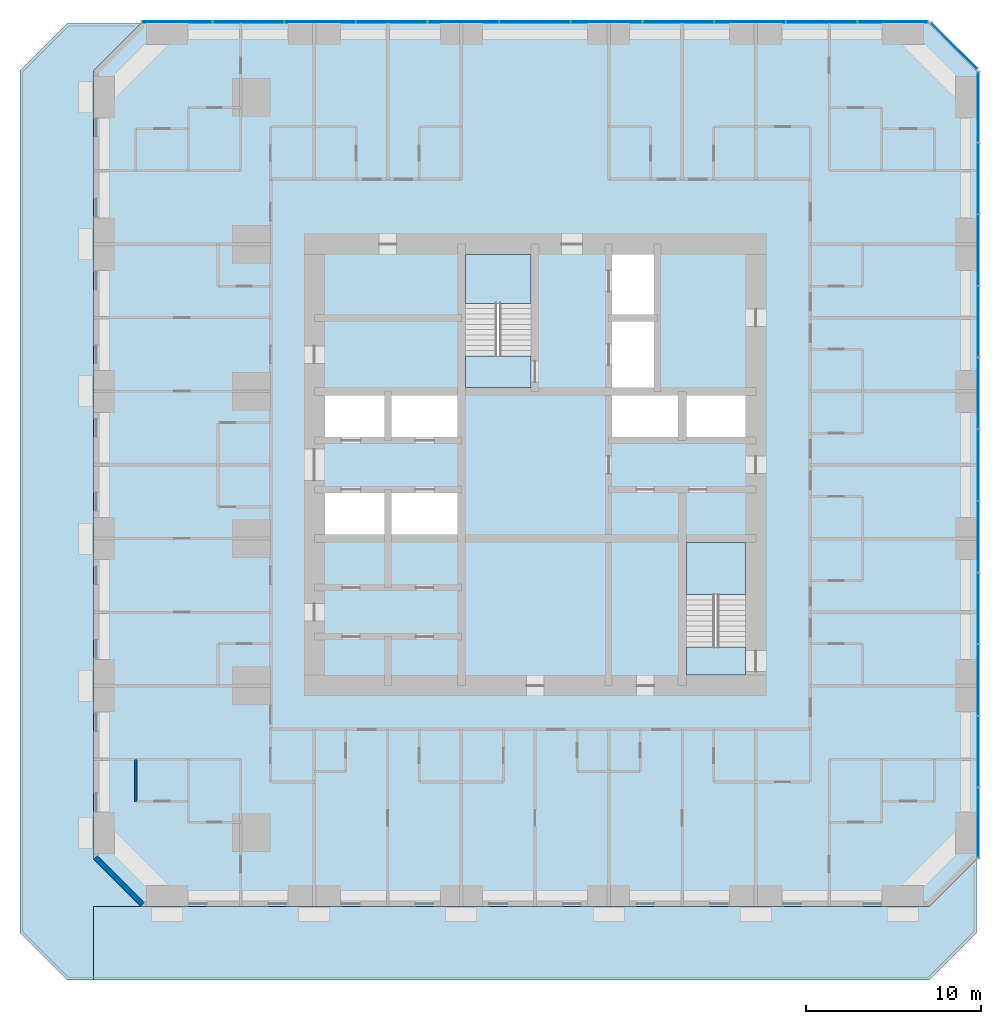
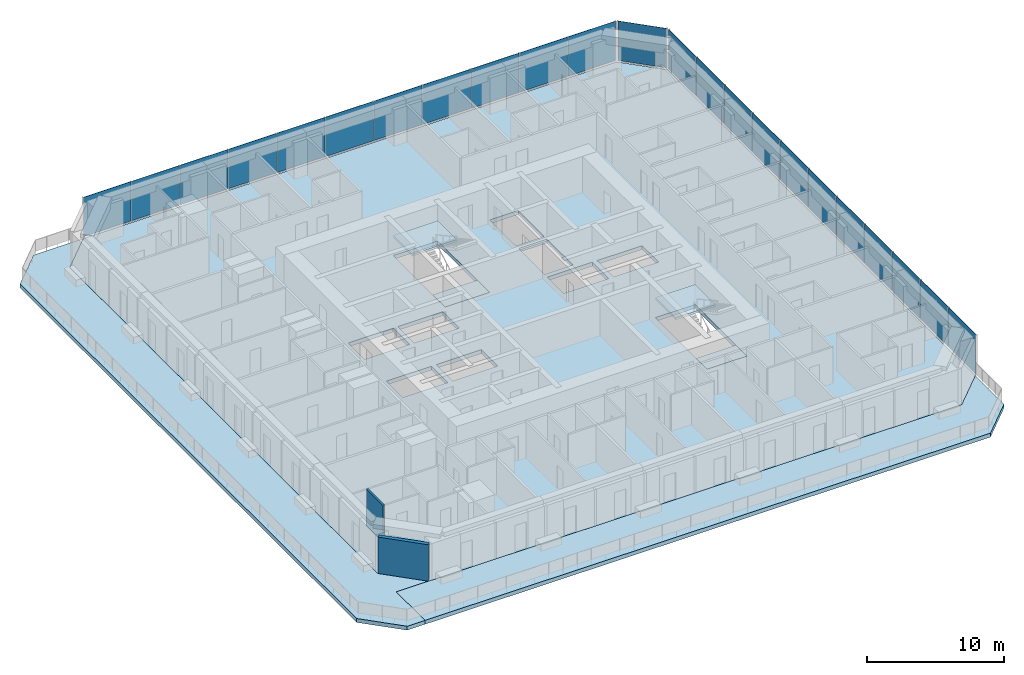
# One storey, part 5 of 14: 23 plates, 7 slabs, 2 walls, 5 elements without a shape of their own.
"""IFC4 building model written with IfcOpenShell, lengths in metres."""

from ifc_helpers import new_model, si_unit, direction, frame, frame_2d, origin, origin_2d, place, context, subcontext, project, spatial, polyline, rectangle, outline, extrude, material, layer, layer_set, type_object, element, aggregate, save


model = new_model("IFC4")

# Units and contexts
model_context = context("Model", 3, precision=1e-05, world=origin(), true_north=direction((0.0, 1.0)))
body_context = subcontext(model_context, "Body", "Model", "MODEL_VIEW")
ifc_project = project(units=[si_unit("LENGTHUNIT", "METRE"), si_unit("AREAUNIT", "SQUARE_METRE"), si_unit("VOLUMEUNIT", "CUBIC_METRE"), si_unit("PLANEANGLEUNIT", "RADIAN"), si_unit("MASSUNIT", "GRAM", prefix="KILO")], contexts=[model_context])

# Site, building, storey
site_placement = place(None, origin())
site = spatial("IfcSite", under=ifc_project, at=site_placement, CompositionType="ELEMENT")
building_placement = place(site_placement, origin())
building = spatial("IfcBuilding", under=site, at=building_placement, Name="Dunama Terrace Hotel", CompositionType="ELEMENT")
storey_placement = place(building_placement, frame((0.0, 0.0, 159.0)))
storey = spatial("IfcBuildingStorey", under=building, at=storey_placement, Name="L40", CompositionType="ELEMENT", Elevation=159.0)

# Curtain wall, plates
ifc_material_1 = material(Name="Aluminium curtain wall system", Category="aluminium")
curtain_wall_type = type_object("IfcCurtainWallType", Name="Unitised fritted glass wall CW-C", PredefinedType="NOTDEFINED", material=ifc_material_1)
curtain_wall_1_placement = place(storey_placement, origin())
curtain_wall_1 = element("IfcCurtainWall", 1, at=curtain_wall_1_placement, inside=storey, type_object=curtain_wall_type, Name="Unitised fritted glass wall CW-C L40", PredefinedType="NOTDEFINED")
ifc_material_2 = material(Name="Laminated glass", Category="glass")
ifc_layer_1 = layer(ifc_material_2, 0.031982421875)
ifc_layer_set_1 = layer_set([ifc_layer_1], Name="CWC clear glass panel")
plate_type_1 = type_object("IfcPlateType", Name="CWC clear glass panel", PredefinedType="CURTAIN_PANEL", material=ifc_layer_set_1)
plate_1_placement = place(storey_placement, frame((54.699951171875, 17.126953125, 0.080078125), z_axis=(0.0, 0.0, 1.0), x_axis=(0.0, 1.0, 0.0)))
plate_1 = element("IfcPlate", 2, at=plate_1_placement, type_object=plate_type_1, Name="CWC clear glass panel", PredefinedType="CURTAIN_PANEL", context=body_context, shape_type="SweptSolid", body=[
    extrude(rectangle(XDim=4.02099609375, YDim=0.031982421875, at=origin_2d()), origin(), (0.0, 0.0, 1.0), 3.52001953125),
])
plate_2_placement = place(storey_placement, frame((54.699951171875, 29.39990234375, 0.080078125), z_axis=(0.0, 0.0, 1.0), x_axis=(0.0, 1.0, 0.0)))
plate_2 = element("IfcPlate", 3, at=plate_2_placement, type_object=plate_type_1, Name="CWC clear glass panel", PredefinedType="CURTAIN_PANEL", context=body_context, shape_type="SweptSolid", body=[
    extrude(rectangle(XDim=4.02099609375, YDim=0.031982421875, at=origin_2d()), origin(), (0.0, 0.0, 1.0), 3.52001953125),
])
plate_3_placement = place(storey_placement, frame((54.699951171875, 41.673095703125, 0.080078125), z_axis=(0.0, 0.0, 1.0), x_axis=(0.0, 1.0, 0.0)))
plate_3 = element("IfcPlate", 4, at=plate_3_placement, type_object=plate_type_1, Name="CWC clear glass panel", PredefinedType="CURTAIN_PANEL", context=body_context, shape_type="SweptSolid", body=[
    extrude(rectangle(XDim=4.02099609375, YDim=0.031982421875, at=origin_2d()), origin(), (0.0, 0.0, 1.0), 3.52001953125),
])

# Curtain wall, plate
curtain_wall_2_placement = place(storey_placement, origin())
curtain_wall_2 = element("IfcCurtainWall", 5, at=curtain_wall_2_placement, inside=storey, type_object=curtain_wall_type, Name="Unitised fritted glass wall CW-C L40", PredefinedType="NOTDEFINED")
plate_4_placement = place(storey_placement, frame((53.321044921875, 53.321044921875, 0.080078125), z_axis=(0.0, 0.0, 1.0), x_axis=(-0.707106781187, 0.707106781187, 0.0)))
plate_4 = element("IfcPlate", 6, at=plate_4_placement, type_object=plate_type_1, Name="CWC clear glass panel", PredefinedType="CURTAIN_PANEL", context=body_context, shape_type="SweptSolid", body=[
    extrude(rectangle(XDim=3.678466796875, YDim=0.031982421875, at=origin_2d()), origin(), (0.0, 0.0, 1.0), 3.52001953125),
])
aggregate(curtain_wall_2, [plate_4])

# Curtain wall, plates
curtain_wall_3_placement = place(storey_placement, origin())
curtain_wall_3 = element("IfcCurtainWall", 7, at=curtain_wall_3_placement, inside=storey, type_object=curtain_wall_type, Name="Unitised fritted glass wall CW-C L40", PredefinedType="NOTDEFINED")
plate_5_placement = place(storey_placement, frame((41.673095703125, 54.699951171875, 0.080078125), z_axis=(0.0, 0.0, 1.0), x_axis=(-1.0, 0.0, 0.0)))
plate_5 = element("IfcPlate", 8, at=plate_5_placement, type_object=plate_type_1, Name="CWC clear glass panel", PredefinedType="CURTAIN_PANEL", context=body_context, shape_type="SweptSolid", body=[
    extrude(rectangle(XDim=4.02099609375, YDim=0.031982421875, at=origin_2d()), origin(), (0.0, 0.0, 1.0), 3.52001953125),
])
plate_6_placement = place(storey_placement, frame((29.39990234375, 54.699951171875, 0.080078125), z_axis=(0.0, 0.0, 1.0), x_axis=(-1.0, 0.0, 0.0)))
plate_6 = element("IfcPlate", 9, at=plate_6_placement, type_object=plate_type_1, Name="CWC clear glass panel", PredefinedType="CURTAIN_PANEL", context=body_context, shape_type="SweptSolid", body=[
    extrude(rectangle(XDim=4.02099609375, YDim=0.031982421875, at=origin_2d()), origin(), (0.0, 0.0, 1.0), 3.52001953125),
])
plate_7_placement = place(storey_placement, frame((17.126953125, 54.699951171875, 0.080078125), z_axis=(0.0, 0.0, 1.0), x_axis=(-1.0, 0.0, 0.0)))
plate_7 = element("IfcPlate", 10, at=plate_7_placement, type_object=plate_type_1, Name="CWC clear glass panel", PredefinedType="CURTAIN_PANEL", context=body_context, shape_type="SweptSolid", body=[
    extrude(rectangle(XDim=4.02099609375, YDim=0.031982421875, at=origin_2d()), origin(), (0.0, 0.0, 1.0), 3.52001953125),
])

# Plate
ifc_material_3 = material(Name="Fritted laminated glass", Category="glass")
ifc_layer_2 = layer(ifc_material_3, 0.031982421875)
ifc_layer_set_2 = layer_set([ifc_layer_2], Name="CWC fritted glass panel")
plate_type_2 = type_object("IfcPlateType", Name="CWC fritted glass panel", PredefinedType="CURTAIN_PANEL", material=ifc_layer_set_2)
plate_8_placement = place(storey_placement, frame((54.699951171875, 13.035888671875, 0.080078125), z_axis=(0.0, 0.0, 1.0), x_axis=(0.0, 1.0, 0.0)))
plate_8 = element("IfcPlate", 11, at=plate_8_placement, type_object=plate_type_2, Name="CWC fritted glass panel", PredefinedType="CURTAIN_PANEL", context=body_context, shape_type="SweptSolid", body=[
    extrude(rectangle(XDim=4.02099609375, YDim=0.031982421875, at=origin_2d()), origin(), (0.0, 0.0, 1.0), 3.52001953125),
])

plate_9_placement = place(storey_placement, frame((54.699951171875, 25.30908203125, 0.080078125), z_axis=(0.0, 0.0, 1.0), x_axis=(0.0, 1.0, 0.0)))
plate_9 = element("IfcPlate", 12, at=plate_9_placement, type_object=plate_type_2, Name="CWC fritted glass panel", PredefinedType="CURTAIN_PANEL", context=body_context, shape_type="SweptSolid", body=[
    extrude(rectangle(XDim=4.02099609375, YDim=0.031982421875, at=origin_2d()), origin(), (0.0, 0.0, 1.0), 3.52001953125),
])

plate_10_placement = place(storey_placement, frame((54.699951171875, 37.58203125, 0.080078125), z_axis=(0.0, 0.0, 1.0), x_axis=(0.0, 1.0, 0.0)))
plate_10 = element("IfcPlate", 13, at=plate_10_placement, type_object=plate_type_2, Name="CWC fritted glass panel", PredefinedType="CURTAIN_PANEL", context=body_context, shape_type="SweptSolid", body=[
    extrude(rectangle(XDim=4.02099609375, YDim=0.031982421875, at=origin_2d()), origin(), (0.0, 0.0, 1.0), 3.52001953125),
])

plate_11_placement = place(storey_placement, frame((54.699951171875, 49.8369140625, 0.080078125), z_axis=(0.0, 0.0, 1.0), x_axis=(0.0, 1.0, 0.0)))
plate_11 = element("IfcPlate", 14, at=plate_11_placement, type_object=plate_type_2, Name="CWC fritted glass panel", PredefinedType="CURTAIN_PANEL", context=body_context, shape_type="SweptSolid", body=[
    extrude(rectangle(XDim=3.98583984375, YDim=0.031982421875, at=origin_2d()), origin(), (0.0, 0.0, 1.0), 3.52001953125),
])

plate_12_placement = place(storey_placement, frame((45.763916015625, 54.699951171875, 0.080078125), z_axis=(0.0, 0.0, 1.0), x_axis=(-1.0, 0.0, 0.0)))
plate_12 = element("IfcPlate", 15, at=plate_12_placement, type_object=plate_type_2, Name="CWC fritted glass panel", PredefinedType="CURTAIN_PANEL", context=body_context, shape_type="SweptSolid", body=[
    extrude(rectangle(XDim=4.02099609375, YDim=0.031982421875, at=origin_2d()), origin(), (0.0, 0.0, 1.0), 3.52001953125),
])

plate_13_placement = place(storey_placement, frame((33.490966796875, 54.699951171875, 0.080078125), z_axis=(0.0, 0.0, 1.0), x_axis=(-1.0, 0.0, 0.0)))
plate_13 = element("IfcPlate", 16, at=plate_13_placement, type_object=plate_type_2, Name="CWC fritted glass panel", PredefinedType="CURTAIN_PANEL", context=body_context, shape_type="SweptSolid", body=[
    extrude(rectangle(XDim=4.02099609375, YDim=0.031982421875, at=origin_2d()), origin(), (0.0, 0.0, 1.0), 3.52001953125),
])

plate_14_placement = place(storey_placement, frame((21.218017578125, 54.699951171875, 0.080078125), z_axis=(0.0, 0.0, 1.0), x_axis=(-1.0, 0.0, 0.0)))
plate_14 = element("IfcPlate", 17, at=plate_14_placement, type_object=plate_type_2, Name="CWC fritted glass panel", PredefinedType="CURTAIN_PANEL", context=body_context, shape_type="SweptSolid", body=[
    extrude(rectangle(XDim=4.02099609375, YDim=0.031982421875, at=origin_2d()), origin(), (0.0, 0.0, 1.0), 3.52001953125),
])

plate_15_placement = place(storey_placement, frame((8.962890625, 54.699951171875, 0.080078125), z_axis=(0.0, 0.0, 1.0), x_axis=(-1.0, 0.0, 0.0)))
plate_15 = element("IfcPlate", 18, at=plate_15_placement, type_object=plate_type_2, Name="CWC fritted glass panel", PredefinedType="CURTAIN_PANEL", context=body_context, shape_type="SweptSolid", body=[
    extrude(rectangle(XDim=3.98583984375, YDim=0.031982421875, at=origin_2d()), origin(), (0.0, 0.0, 1.0), 3.52001953125),
])

ifc_material_4 = material(Name="Laminated glass", Category="glass")
ifc_layer_3 = layer(ifc_material_4, 0.031982421875)
ifc_layer_set_3 = layer_set([ifc_layer_3], Name="CWC operable glass panel")
plate_type_3 = type_object("IfcPlateType", Name="CWC operable glass panel", PredefinedType="CURTAIN_PANEL", material=ifc_layer_set_3)
plate_16_placement = place(storey_placement, frame((54.699951171875, 8.962890625, 0.080078125), z_axis=(0.0, 0.0, 1.0), x_axis=(0.0, 1.0, 0.0)))
plate_16 = element("IfcPlate", 19, at=plate_16_placement, type_object=plate_type_3, Name="CWC operable glass panel", PredefinedType="CURTAIN_PANEL", context=body_context, shape_type="SweptSolid", body=[
    extrude(rectangle(XDim=3.98583984375, YDim=0.031982421875, at=origin_2d()), origin(), (0.0, 0.0, 1.0), 3.52001953125),
])

plate_17_placement = place(storey_placement, frame((54.699951171875, 21.218017578125, 0.080078125), z_axis=(0.0, 0.0, 1.0), x_axis=(0.0, 1.0, 0.0)))
plate_17 = element("IfcPlate", 20, at=plate_17_placement, type_object=plate_type_3, Name="CWC operable glass panel", PredefinedType="CURTAIN_PANEL", context=body_context, shape_type="SweptSolid", body=[
    extrude(rectangle(XDim=4.02099609375, YDim=0.031982421875, at=origin_2d()), origin(), (0.0, 0.0, 1.0), 3.52001953125),
])

plate_18_placement = place(storey_placement, frame((54.699951171875, 33.490966796875, 0.080078125), z_axis=(0.0, 0.0, 1.0), x_axis=(0.0, 1.0, 0.0)))
plate_18 = element("IfcPlate", 21, at=plate_18_placement, type_object=plate_type_3, Name="CWC operable glass panel", PredefinedType="CURTAIN_PANEL", context=body_context, shape_type="SweptSolid", body=[
    extrude(rectangle(XDim=4.02099609375, YDim=0.031982421875, at=origin_2d()), origin(), (0.0, 0.0, 1.0), 3.52001953125),
])

plate_19_placement = place(storey_placement, frame((54.699951171875, 45.763916015625, 0.080078125), z_axis=(0.0, 0.0, 1.0), x_axis=(0.0, 1.0, 0.0)))
plate_19 = element("IfcPlate", 22, at=plate_19_placement, type_object=plate_type_3, Name="CWC operable glass panel", PredefinedType="CURTAIN_PANEL", context=body_context, shape_type="SweptSolid", body=[
    extrude(rectangle(XDim=4.02099609375, YDim=0.031982421875, at=origin_2d()), origin(), (0.0, 0.0, 1.0), 3.52001953125),
])

aggregate(curtain_wall_1, [plate_16, plate_8, plate_1, plate_17, plate_9, plate_2, plate_18, plate_10, plate_3, plate_19, plate_11])

plate_20_placement = place(storey_placement, frame((49.8369140625, 54.699951171875, 0.080078125), z_axis=(0.0, 0.0, 1.0), x_axis=(-1.0, 0.0, 0.0)))
plate_20 = element("IfcPlate", 23, at=plate_20_placement, type_object=plate_type_3, Name="CWC operable glass panel", PredefinedType="CURTAIN_PANEL", context=body_context, shape_type="SweptSolid", body=[
    extrude(rectangle(XDim=3.98583984375, YDim=0.031982421875, at=origin_2d()), origin(), (0.0, 0.0, 1.0), 3.52001953125),
])

plate_21_placement = place(storey_placement, frame((37.58203125, 54.699951171875, 0.080078125), z_axis=(0.0, 0.0, 1.0), x_axis=(-1.0, 0.0, 0.0)))
plate_21 = element("IfcPlate", 24, at=plate_21_placement, type_object=plate_type_3, Name="CWC operable glass panel", PredefinedType="CURTAIN_PANEL", context=body_context, shape_type="SweptSolid", body=[
    extrude(rectangle(XDim=4.02099609375, YDim=0.031982421875, at=origin_2d()), origin(), (0.0, 0.0, 1.0), 3.52001953125),
])

plate_22_placement = place(storey_placement, frame((25.30908203125, 54.699951171875, 0.080078125), z_axis=(0.0, 0.0, 1.0), x_axis=(-1.0, 0.0, 0.0)))
plate_22 = element("IfcPlate", 25, at=plate_22_placement, type_object=plate_type_3, Name="CWC operable glass panel", PredefinedType="CURTAIN_PANEL", context=body_context, shape_type="SweptSolid", body=[
    extrude(rectangle(XDim=4.02099609375, YDim=0.031982421875, at=origin_2d()), origin(), (0.0, 0.0, 1.0), 3.52001953125),
])

plate_23_placement = place(storey_placement, frame((13.035888671875, 54.699951171875, 0.080078125), z_axis=(0.0, 0.0, 1.0), x_axis=(-1.0, 0.0, 0.0)))
plate_23 = element("IfcPlate", 26, at=plate_23_placement, type_object=plate_type_3, Name="CWC operable glass panel", PredefinedType="CURTAIN_PANEL", context=body_context, shape_type="SweptSolid", body=[
    extrude(rectangle(XDim=4.02099609375, YDim=0.031982421875, at=origin_2d()), origin(), (0.0, 0.0, 1.0), 3.52001953125),
])

aggregate(curtain_wall_3, [plate_20, plate_12, plate_5, plate_21, plate_13, plate_6, plate_22, plate_14, plate_7, plate_23, plate_15])

# Slab
ifc_material_5 = material(Name="Concrete C40/50", Category="concrete")
ifc_layer_4 = layer(ifc_material_5, 0.35009765625)
ifc_layer_set_4 = layer_set([ifc_layer_4], Name="Flat plate 350")
slab_type_1 = type_object("IfcSlabType", Name="Flat plate 350", PredefinedType="FLOOR", material=ifc_layer_set_4)
slab_1_placement = place(storey_placement, frame((0.0, 0.0, -0.35009765625)))
element("IfcSlab", 27, at=slab_1_placement, inside=storey, type_object=slab_type_1, Name="Floor slab L40", PredefinedType="FLOOR", context=body_context, shape_type="SweptSolid", body=[
    extrude(outline(polyline([(6.89990234375, 4.199951171875), (51.89990234375, 4.199951171875), (54.60009765625, 6.89990234375), (54.60009765625, 51.89990234375), (51.89990234375, 54.60009765625), (6.89990234375, 54.60009765625), (4.199951171875, 51.89990234375), (4.199951171875, 6.89990234375), (6.89990234375, 4.199951171875)]), holes=[polyline([(20.800048828125, 25.39990234375), (20.800048828125, 27.800048828125), (17.0, 27.800048828125), (17.0, 25.39990234375), (20.800048828125, 25.39990234375)]), polyline([(25.0, 25.39990234375), (25.0, 27.800048828125), (21.199951171875, 27.800048828125), (21.199951171875, 25.39990234375), (25.0, 25.39990234375)]), polyline([(20.800048828125, 31.0), (20.800048828125, 33.39990234375), (17.0, 33.39990234375), (17.0, 31.0), (20.800048828125, 31.0)]), polyline([(25.0, 31.0), (25.0, 33.39990234375), (21.199951171875, 33.39990234375), (21.199951171875, 31.0), (25.0, 31.0)]), polyline([(37.60009765625, 31.0), (37.60009765625, 33.39990234375), (33.800048828125, 33.39990234375), (33.800048828125, 31.0), (37.60009765625, 31.0)]), polyline([(41.800048828125, 31.0), (41.800048828125, 33.39990234375), (38.0, 33.39990234375), (38.0, 31.0), (41.800048828125, 31.0)]), polyline([(36.199951171875, 38.0), (36.199951171875, 41.800048828125), (33.800048828125, 41.800048828125), (33.800048828125, 38.0), (36.199951171875, 38.0)]), polyline([(36.199951171875, 33.800048828125), (36.199951171875, 37.60009765625), (33.800048828125, 37.60009765625), (33.800048828125, 33.800048828125), (36.199951171875, 33.800048828125)]), polyline([(29.175048828125, 33.824951171875), (29.175048828125, 41.39990234375), (25.425048828125, 41.39990234375), (25.425048828125, 33.824951171875), (29.175048828125, 33.824951171875)]), polyline([(41.39990234375, 17.39990234375), (41.39990234375, 24.97509765625), (38.050048828125, 24.97509765625), (38.050048828125, 17.39990234375), (41.39990234375, 17.39990234375)])]), origin(), (0.0, 0.0, 1.0), 0.35009765625),
])

# Stair, slabs
ifc_material_6 = material(Name="Concrete C40/50", Category="concrete")
stair_type_1 = type_object("IfcStairType", Name="Stair ST1-3600-1800", PredefinedType="HALF_TURN_STAIR", material=ifc_material_6)
stair_1_placement = place(storey_placement, origin())
stair_1 = element("IfcStair", 28, at=stair_1_placement, inside=storey, type_object=stair_type_1, Name="Stair ST1 L40", PredefinedType="HALF_TURN_STAIR")
ifc_material_7 = material(Name="Concrete C40/50", Category="concrete")
ifc_layer_5 = layer(ifc_material_7, 0.199951171875)
ifc_layer_set_5 = layer_set([ifc_layer_5], Name="Stair landing 200")
slab_type_2 = type_object("IfcSlabType", Name="Stair landing 200", PredefinedType="LANDING", material=ifc_layer_set_5)
slab_2_placement = place(storey_placement, frame((0.0, 0.0, -0.199951171875)))
slab_2 = element("IfcSlab", 29, at=slab_2_placement, type_object=slab_type_2, Name="ST1 landing 1, type S10", PredefinedType="LANDING", context=body_context, shape_type="SweptSolid", body=[
    extrude(outline(polyline([(25.425048828125, 33.824951171875), (29.175048828125, 33.824951171875), (29.175048828125, 35.625), (25.425048828125, 35.625), (25.425048828125, 33.824951171875)])), origin(), (0.0, 0.0, 1.0), 0.199951171875),
])
slab_3_placement = place(storey_placement, frame((0.0, 0.0, 1.60009765625)))
slab_3 = element("IfcSlab", 30, at=slab_3_placement, type_object=slab_type_2, Name="ST1 landing 2, type S10", PredefinedType="LANDING", context=body_context, shape_type="SweptSolid", body=[
    extrude(outline(polyline([(25.425048828125, 38.625), (29.175048828125, 38.625), (29.175048828125, 41.39990234375), (25.425048828125, 41.39990234375), (25.425048828125, 38.625)])), origin(), (0.0, 0.0, 1.0), 0.199951171875),
])
aggregate(stair_1, [slab_2, slab_3])

ifc_material_8 = material(Name="Concrete C40/50", Category="concrete")
stair_type_2 = type_object("IfcStairType", Name="Stair ST2-3600-1600", PredefinedType="HALF_TURN_STAIR", material=ifc_material_8)
stair_2_placement = place(storey_placement, origin())
stair_2 = element("IfcStair", 31, at=stair_2_placement, inside=storey, type_object=stair_type_2, Name="Stair ST2 L40", PredefinedType="HALF_TURN_STAIR")
slab_4_placement = place(storey_placement, frame((0.0, 0.0, -0.199951171875)))
slab_4 = element("IfcSlab", 32, at=slab_4_placement, type_object=slab_type_2, Name="ST2 landing 1, type S10", PredefinedType="LANDING", context=body_context, shape_type="SweptSolid", body=[
    extrude(outline(polyline([(38.050048828125, 17.39990234375), (41.39990234375, 17.39990234375), (41.39990234375, 19.0), (38.050048828125, 19.0), (38.050048828125, 17.39990234375)])), origin(), (0.0, 0.0, 1.0), 0.199951171875),
])
slab_5_placement = place(storey_placement, frame((0.0, 0.0, 1.60009765625)))
slab_5 = element("IfcSlab", 33, at=slab_5_placement, type_object=slab_type_2, Name="ST2 landing 2, type S10", PredefinedType="LANDING", context=body_context, shape_type="SweptSolid", body=[
    extrude(outline(polyline([(38.050048828125, 22.0), (41.39990234375, 22.0), (41.39990234375, 24.97509765625), (38.050048828125, 24.97509765625), (38.050048828125, 22.0)])), origin(), (0.0, 0.0, 1.0), 0.199951171875),
])
aggregate(stair_2, [slab_4, slab_5])

# Slabs
ifc_material_9 = material(Name="Concrete C40/50", Category="concrete")
ifc_layer_6 = layer(ifc_material_9, 0.35009765625)
ifc_layer_set_6 = layer_set([ifc_layer_6], Name="Terrace slab 350")
slab_type_3 = type_object("IfcSlabType", Name="Terrace slab 350", PredefinedType="FLOOR", material=ifc_layer_set_6)
slab_6_placement = place(storey_placement, frame((0.0, 0.0, -0.35009765625)))
element("IfcSlab", 34, at=slab_6_placement, inside=storey, type_object=slab_type_3, Name="Planted terrace slab", PredefinedType="FLOOR", context=body_context, shape_type="SweptSolid", body=[
    extrude(outline(polyline([(0.0, 51.89990234375), (2.699951171875, 54.60009765625), (4.199951171875, 54.60009765625), (6.89990234375, 54.60009765625), (4.199951171875, 51.89990234375), (4.199951171875, 6.89990234375), (6.89990234375, 4.199951171875), (4.199951171875, 4.199951171875), (4.199951171875, 0.0), (2.699951171875, 0.0), (0.0, 2.699951171875), (0.0, 51.89990234375)])), origin(), (0.0, 0.0, 1.0), 0.35009765625),
])
slab_7_placement = place(storey_placement, frame((0.0, 0.0, -0.35009765625)))
element("IfcSlab", 35, at=slab_7_placement, inside=storey, type_object=slab_type_3, Name="Planted terrace slab", PredefinedType="FLOOR", context=body_context, shape_type="SweptSolid", body=[
    extrude(outline(polyline([(6.89990234375, 4.199951171875), (51.89990234375, 4.199951171875), (54.60009765625, 6.89990234375), (54.60009765625, 4.199951171875), (54.60009765625, 2.699951171875), (51.89990234375, 0.0), (4.199951171875, 0.0), (4.199951171875, 4.199951171875), (6.89990234375, 4.199951171875)])), origin(), (0.0, 0.0, 1.0), 0.35009765625),
])

# Walls
ifc_material_10 = material(Name="Gypsum board partition", Category="masonry")
ifc_layer_7 = layer(ifc_material_10, 0.14990234375)
ifc_layer_set_7 = layer_set([ifc_layer_7], Name="Room partition 150")
wall_type_1 = type_object("IfcWallType", Name="Room partition 150", PredefinedType="PARTITIONING", material=ifc_layer_set_7)
wall_1_placement = place(storey_placement, frame((6.60009765625, 10.199951171875, 0.0), z_axis=(0.0, 0.0, 1.0), x_axis=(0.0, 1.0, 0.0)))
element("IfcWall", 36, at=wall_1_placement, inside=storey, type_object=wall_type_1, Name="Room partition 150 L40", PredefinedType="PARTITIONING", context=body_context, shape_type="SweptSolid", body=[
    extrude(rectangle(XDim=2.400146484375, YDim=0.14990234375, at=frame_2d((1.2001953125, 0.0))), origin(), (0.0, 0.0, 1.0), 3.25),
])
ifc_material_11 = material(Name="Granite-faced concrete blockwork", Category="masonry")
ifc_layer_8 = layer(ifc_material_11, 0.300048828125)
ifc_layer_set_8 = layer_set([ifc_layer_8], Name="Terrace wall 300")
wall_type_2 = type_object("IfcWallType", Name="Terrace wall 300", PredefinedType="SOLIDWALL", material=ifc_layer_set_8)
wall_2_placement = place(storey_placement, frame((4.305908203125, 7.006103515625, 0.0), z_axis=(0.0, 0.0, 1.0), x_axis=(0.707106781187, -0.707106781187, 0.0)))
element("IfcWall", 37, at=wall_2_placement, inside=storey, type_object=wall_type_2, Name="Terrace wall 300 L40", PredefinedType="SOLIDWALL", context=body_context, shape_type="SweptSolid", body=[
    extrude(rectangle(XDim=3.818603515625, YDim=0.300048828125, at=frame_2d((1.9091796875, 0.0))), origin(), (0.0, 0.0, 1.0), 3.25),
])

save(model, "model.ifc")
